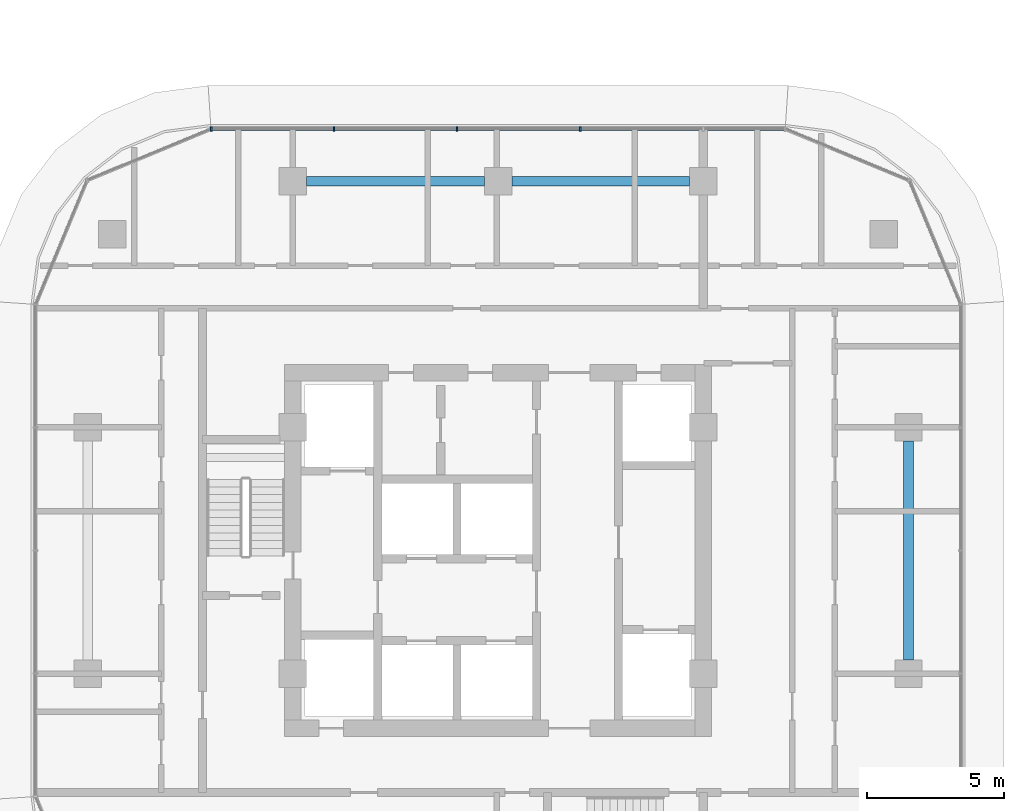
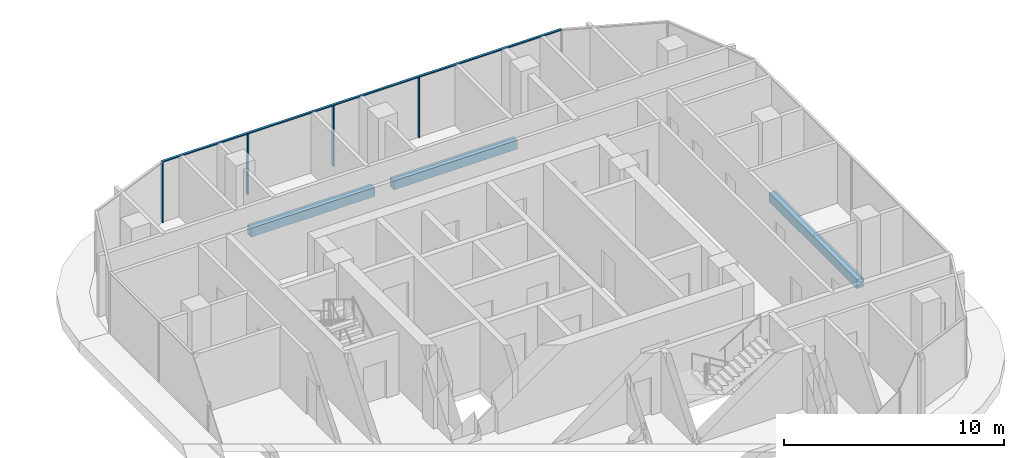
# One storey, part 13 of 36: 5 members, 3 beams, 1 element without a shape of its own.
"""IFC4 building model written with IfcOpenShell, lengths in metres."""

from ifc_helpers import new_model, si_unit, direction, frame, origin, origin_2d, place, context, subcontext, project, spatial, rectangle, extrude, material, material_profile, profile_set, type_object, element, aggregate, save


model = new_model("IFC4")

# Units and contexts
model_context = context("Model", 3, precision=1e-05, world=origin(), true_north=direction((0.0, 1.0)))
body_context = subcontext(model_context, "Body", "Model", "MODEL_VIEW")
ifc_project = project(units=[si_unit("LENGTHUNIT", "METRE"), si_unit("AREAUNIT", "SQUARE_METRE"), si_unit("VOLUMEUNIT", "CUBIC_METRE"), si_unit("PLANEANGLEUNIT", "RADIAN"), si_unit("MASSUNIT", "GRAM", prefix="KILO")], contexts=[model_context])

# Site, building, storey
site_placement = place(None, origin())
site = spatial("IfcSite", under=ifc_project, at=site_placement, CompositionType="ELEMENT")
building_placement = place(site_placement, origin())
building = spatial("IfcBuilding", under=site, at=building_placement, Name="Ogive Portal Towers", CompositionType="ELEMENT")
storey_placement = place(building_placement, frame((0.0, 0.0, 52.0)))
storey = spatial("IfcBuildingStorey", under=building, at=storey_placement, Name="L11", CompositionType="ELEMENT", Elevation=52.0)

# Curtain wall, members
ifc_material_1 = material(Name="Glass, clear low-iron insulated glazing", Category="glass")
curtain_wall_type = type_object("IfcCurtainWallType", Name="CW RESIDENCES RIBBON", PredefinedType="NOTDEFINED", material=ifc_material_1)
curtain_wall_placement = place(storey_placement, origin())
curtain_wall = element("IfcCurtainWall", 1, at=curtain_wall_placement, inside=storey, type_object=curtain_wall_type, Name="B:L11:f08:cw0", PredefinedType="NOTDEFINED")
ifc_material_2 = material(Name="Aluminium 6063 anodised", Category="aluminium")
ifc_material_profile_1 = material_profile(ifc_material_2, rectangle(XDim=0.159912109375, YDim=0.06005859375, at=origin_2d()), Name="AL 60x160")
ifc_profile_set_1 = profile_set([ifc_material_profile_1], Name="Aluminium 6063 anodised")
member_type_1 = type_object("IfcMemberType", Name="CW MULLION 60x160", PredefinedType="MULLION", material=ifc_profile_set_1)
member_1_placement = place(storey_placement, frame((139.5, 46.409912109375, 0.0), z_axis=(0.0, 0.0, 1.0), x_axis=(0.0, -1.0, 0.0)))
member_1 = element("IfcMember", 2, at=member_1_placement, type_object=member_type_1, Name="mullion", PredefinedType="MULLION", context=body_context, shape_type="SweptSolid", body=[
    extrude(rectangle(XDim=0.159912109375, YDim=0.06005859375, at=origin_2d()), origin(), (0.0, 0.0, 1.0), 3.340087890625),
])
member_2_placement = place(storey_placement, frame((135.0, 46.409912109375, 0.0), z_axis=(0.0, 0.0, 1.0), x_axis=(0.0, -1.0, 0.0)))
member_2 = element("IfcMember", 3, at=member_2_placement, type_object=member_type_1, Name="mullion", PredefinedType="MULLION", context=body_context, shape_type="SweptSolid", body=[
    extrude(rectangle(XDim=0.159912109375, YDim=0.06005859375, at=origin_2d()), origin(), (0.0, 0.0, 1.0), 3.340087890625),
])
member_3_placement = place(storey_placement, frame((130.5, 46.409912109375, 0.0), z_axis=(0.0, 0.0, 1.0), x_axis=(0.0, -1.0, 0.0)))
member_3 = element("IfcMember", 4, at=member_3_placement, type_object=member_type_1, Name="mullion", PredefinedType="MULLION", context=body_context, shape_type="SweptSolid", body=[
    extrude(rectangle(XDim=0.159912109375, YDim=0.06005859375, at=origin_2d()), origin(), (0.0, 0.0, 1.0), 3.340087890625),
])
member_4_placement = place(storey_placement, frame((126.015869140625, 46.409912109375, 0.0), z_axis=(0.0, 0.0, 1.0), x_axis=(0.0, -1.0, 0.0)))
member_4 = element("IfcMember", 5, at=member_4_placement, type_object=member_type_1, Name="mullion", PredefinedType="MULLION", context=body_context, shape_type="SweptSolid", body=[
    extrude(rectangle(XDim=0.159912109375, YDim=0.06005859375, at=origin_2d()), origin(), (0.0, 0.0, 1.0), 3.340087890625),
])
ifc_material_profile_2 = material_profile(ifc_material_2, rectangle(XDim=0.1201171875, YDim=0.06005859375, at=origin_2d()), Name="AL 120x60")
ifc_profile_set_2 = profile_set([ifc_material_profile_2], Name="Aluminium 6063 anodised")
member_type_2 = type_object("IfcMemberType", Name="CW TRANSOM 60x120", PredefinedType="USERDEFINED", material=ifc_profile_set_2)
member_5_placement = place(storey_placement, frame((146.984130859375, 46.409912109375, 3.3701171875), z_axis=(-1.0, 0.0, 0.0), x_axis=(0.0, -1.0, 0.0)))
member_5 = element("IfcMember", 6, at=member_5_placement, type_object=member_type_2, Name="transom", ObjectType="TRANSOM", PredefinedType="USERDEFINED", context=body_context, shape_type="SweptSolid", body=[
    extrude(rectangle(XDim=0.1201171875, YDim=0.06005859375, at=origin_2d()), origin(), (0.0, 0.0, 1.0), 20.96826171875),
])
aggregate(curtain_wall, [member_5, member_1, member_2, member_3, member_4])

# Beams
ifc_material_3 = material(Name="Concrete C50/60", Category="concrete")
ifc_material_profile_3 = material_profile(ifc_material_3, rectangle(XDim=0.35009765625, YDim=0.5, at=origin_2d()), Name="RC 350x500")
ifc_profile_set_3 = profile_set([ifc_material_profile_3], Name="Concrete C50/60")
beam_type = type_object("IfcBeamType", Name="SPANDREL BEAM RC 350x500", PredefinedType="BEAM", material=ifc_profile_set_3)
beam_placement = place(storey_placement, frame((151.5, 27.0, -0.550048828125), z_axis=(0.0, 1.0, 0.0), x_axis=(-1.0, 0.0, 0.0)))
element("IfcBeam", 7, at=beam_placement, inside=storey, type_object=beam_type, Name="Spandrel beam L11", PredefinedType="BEAM", context=body_context, shape_type="SweptSolid", body=[
    extrude(rectangle(XDim=0.35009765625, YDim=0.5, at=origin_2d()), origin(), (0.0, 0.0, 1.0), 8.0),
])
for number, where, z_axis, x_axis, name in (
    (8, (143.5, 44.5, -0.550048828125), (-1.0, 0.0, 0.0), (0.0, -1.0, 0.0), "Spandrel beam L11"),
    (9, (136.0, 44.5, -0.550048828125), (-1.0, 0.0, 0.0), (0.0, -1.0, 0.0), "Spandrel beam L11"),
):
    element("IfcBeam", number, at=place(storey_placement, frame(where, z_axis=z_axis, x_axis=x_axis)), inside=storey, type_object=beam_type, Name=name, PredefinedType="BEAM", context=body_context, shape_type="SweptSolid", body=[
        extrude(rectangle(XDim=0.35009765625, YDim=0.5, at=origin_2d()), origin(), (0.0, 0.0, 1.0), 6.5),
    ])

save(model, "model.ifc")
